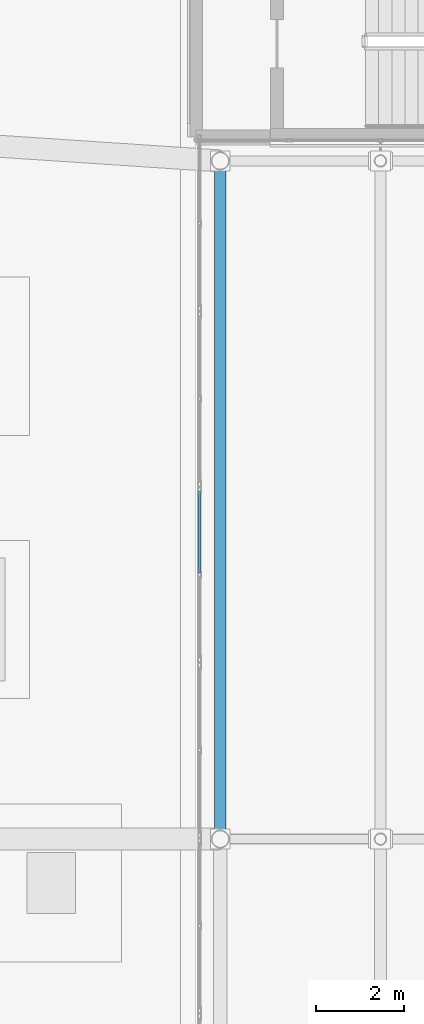
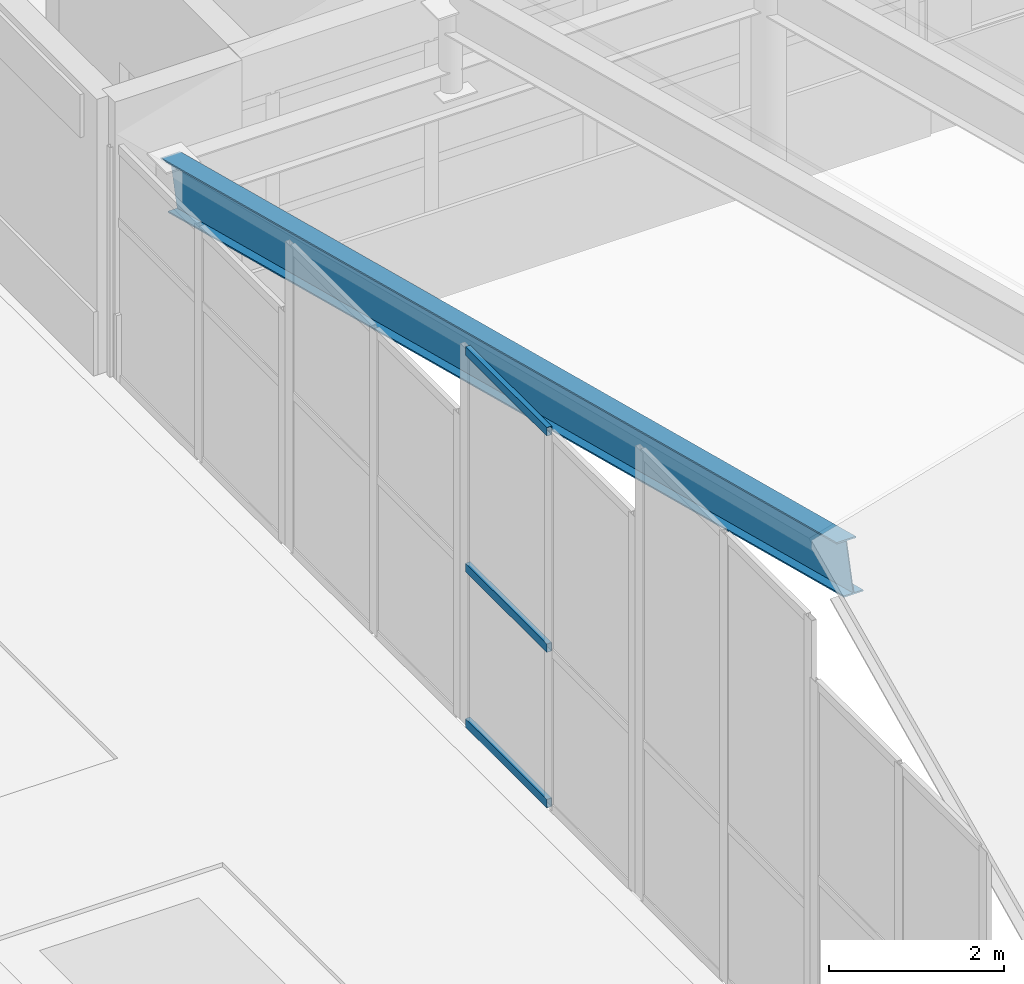
# One storey, part 72 of 184: 3 members, 1 beam, 1 element without a shape of its own.
"""IFC4 building model written with IfcOpenShell, lengths in metres."""

from ifc_helpers import new_model, si_unit, direction, frame, origin, origin_2d, place, context, subcontext, project, spatial, hollow_rectangle, i_section, extrude, material, material_profile, profile_set, type_object, element, aggregate, save


model = new_model("IFC4")

# Units and contexts
model_context = context("Model", 3, precision=1e-05, world=origin(), true_north=direction((0.0, 1.0)))
body_context = subcontext(model_context, "Body", "Model", "MODEL_VIEW")
ifc_project = project(units=[si_unit("LENGTHUNIT", "METRE"), si_unit("AREAUNIT", "SQUARE_METRE"), si_unit("VOLUMEUNIT", "CUBIC_METRE"), si_unit("PLANEANGLEUNIT", "RADIAN"), si_unit("MASSUNIT", "GRAM", prefix="KILO")], contexts=[model_context])

# Site, building, storey
site_placement = place(None, origin())
site = spatial("IfcSite", under=ifc_project, at=site_placement, CompositionType="ELEMENT")
building_placement = place(site_placement, origin())
building = spatial("IfcBuilding", under=site, at=building_placement, Name="Selatvlak General Hospital", CompositionType="ELEMENT")
storey_placement = place(building_placement, frame((0.0, 0.0, 15.0)))
storey = spatial("IfcBuildingStorey", under=building, at=storey_placement, Name="L03", CompositionType="ELEMENT", Elevation=15.0)

# Beam
ifc_material_1 = material(Name="Steel S355", Category="steel")
ifc_material_profile_1 = material_profile(ifc_material_1, i_section(OverallWidth=0.253662109375, OverallDepth=0.68359375, WebThickness=0.012451171875, FlangeThickness=0.01904296875, at=origin_2d()), Name="UB 686x254x140")
ifc_profile_set_1 = profile_set([ifc_material_profile_1], Name="Steel S355")
beam_type = type_object("IfcBeamType", Name="BM-RF3", PredefinedType="BEAM", material=ifc_profile_set_1)
beam_placement = place(storey_placement, frame((23.35009765625, 68.0, 6.8330078125), z_axis=(0.0, 0.968081216491, -0.250636705766), x_axis=(-1.0, 0.0, 0.0)))
element("IfcBeam", 1, at=beam_placement, inside=storey, type_object=beam_type, Name="Folded roof north rafter 1", PredefinedType="BEAM", context=body_context, shape_type="SweptSolid", body=[
    extrude(i_section(OverallWidth=0.253662109375, OverallDepth=0.68359375, WebThickness=0.012451171875, FlangeThickness=0.01904296875, at=origin_2d()), origin(), (0.0, 0.0, 1.0), 15.95947265625),
])

# Curtain wall, members
ifc_material_2 = material(Name="Solar-control Low-E double glazing", Category="glass")
curtain_wall_type = type_object("IfcCurtainWallType", Name="CW-CW-05", PredefinedType="USERDEFINED", material=ifc_material_2)
curtain_wall_placement = place(storey_placement, origin())
curtain_wall = element("IfcCurtainWall", 2, at=curtain_wall_placement, inside=storey, type_object=curtain_wall_type, Name="Glazed facade curtain wall CW-L03-0727", ObjectType="STICK GLAZING WALL", PredefinedType="USERDEFINED")
ifc_material_3 = material(Name="Dark anodised aluminium mullion", Category="aluminium")
ifc_material_profile_2 = material_profile(ifc_material_3, hollow_rectangle(XDim=0.06494140625, YDim=0.1201171875, WallThickness=0.00390625, at=origin_2d()), Name="AL-TRN 65x120x4")
ifc_profile_set_2 = profile_set([ifc_material_profile_2], Name="Dark anodised aluminium mullion")
member_type = type_object("IfcMemberType", Name="CWT-01", PredefinedType="USERDEFINED", material=ifc_profile_set_2)
member_1_placement = place(storey_placement, frame((22.8798828125, 74.0576171875, 0.032470703125), z_axis=(0.0, 1.0, 0.0), x_axis=(-1.0, 0.0, 0.0)))
member_1 = element("IfcMember", 3, at=member_1_placement, type_object=member_type, Name="CW-05 transom 2.1", ObjectType="TRANSOM", PredefinedType="USERDEFINED", context=body_context, shape_type="SweptSolid", body=[
    extrude(hollow_rectangle(XDim=0.06494140625, YDim=0.1201171875, WallThickness=0.00390625, at=origin_2d()), origin(), (0.0, 0.0, 1.0), 1.8623046875),
])
member_2_placement = place(storey_placement, frame((22.8798828125, 74.0576171875, 2.199951171875), z_axis=(0.0, 1.0, 0.0), x_axis=(-1.0, 0.0, 0.0)))
member_2 = element("IfcMember", 4, at=member_2_placement, type_object=member_type, Name="CW-05 transom 2.2", ObjectType="TRANSOM", PredefinedType="USERDEFINED", context=body_context, shape_type="SweptSolid", body=[
    extrude(hollow_rectangle(XDim=0.06494140625, YDim=0.1201171875, WallThickness=0.00390625, at=origin_2d()), origin(), (0.0, 0.0, 1.0), 1.8623046875),
])
member_3_placement = place(storey_placement, frame((22.8798828125, 74.0576171875, 5.217529296875), z_axis=(0.0, 1.0, 0.0), x_axis=(-1.0, 0.0, 0.0)))
member_3 = element("IfcMember", 5, at=member_3_placement, type_object=member_type, Name="CW-05 transom 2.3", ObjectType="TRANSOM", PredefinedType="USERDEFINED", context=body_context, shape_type="SweptSolid", body=[
    extrude(hollow_rectangle(XDim=0.06494140625, YDim=0.1201171875, WallThickness=0.00390625, at=origin_2d()), origin(), (0.0, 0.0, 1.0), 1.8623046875),
])
aggregate(curtain_wall, [member_1, member_2, member_3])

save(model, "model.ifc")
